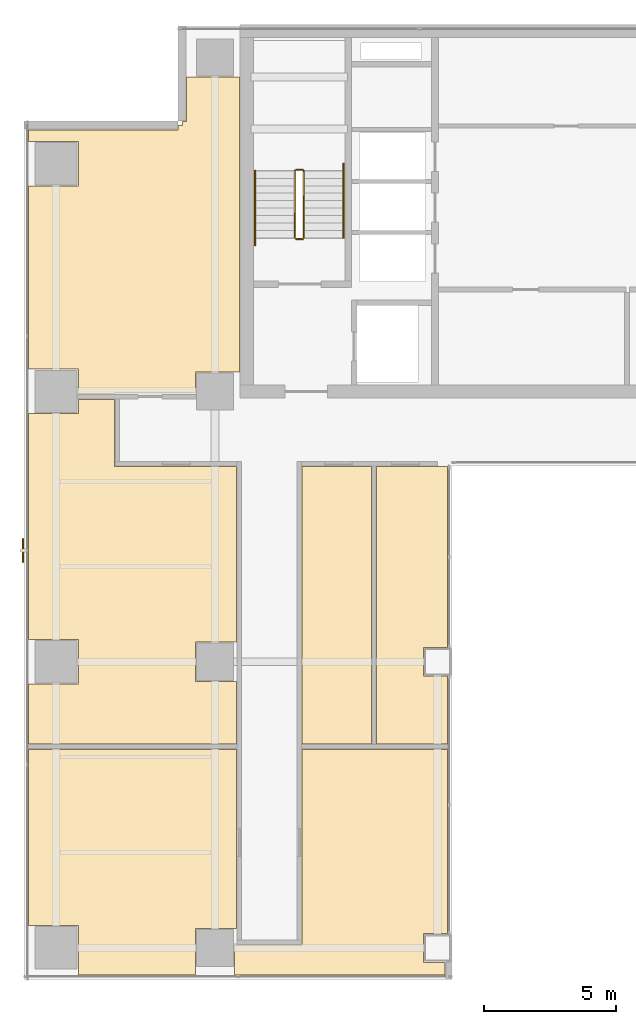
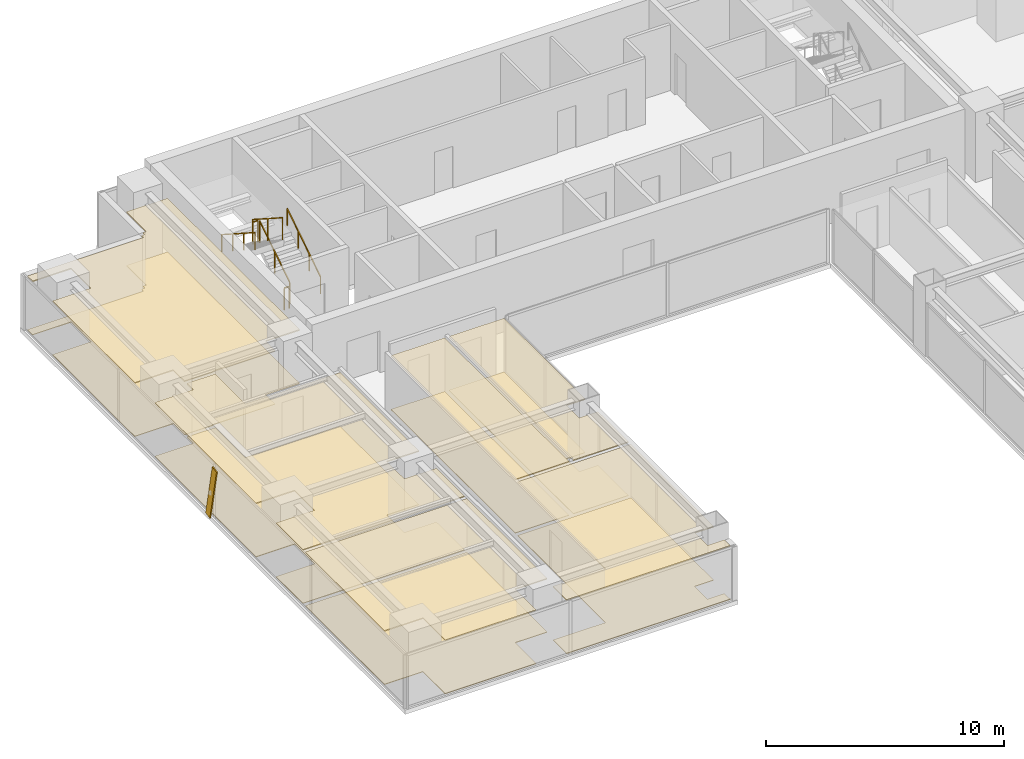
# One storey, part 27 of 29: 12 coverings, 6 railings, 1 shading device.
"""IFC4 building model written with IfcOpenShell, lengths in metres."""

from ifc_helpers import new_model, si_unit, direction, frame, origin, origin_2d, place, context, subcontext, project, spatial, polyline, rectangle, outline, extrude, source, transform, mapped, material, layer, layer_set, material_profile, profile_set, type_object, element, save


model = new_model("IFC4")

# Units and contexts
model_context = context("Model", 3, precision=1e-05, world=origin(), true_north=direction((0.0, 1.0)))
body_context = subcontext(model_context, "Body", "Model", "MODEL_VIEW")
ifc_project = project(units=[si_unit("LENGTHUNIT", "METRE"), si_unit("AREAUNIT", "SQUARE_METRE"), si_unit("VOLUMEUNIT", "CUBIC_METRE"), si_unit("PLANEANGLEUNIT", "RADIAN"), si_unit("MASSUNIT", "GRAM", prefix="KILO")], contexts=[model_context])

# Site, building, storey
site_placement = place(None, origin())
site = spatial("IfcSite", under=ifc_project, at=site_placement, CompositionType="ELEMENT")
building_placement = place(site_placement, origin())
building = spatial("IfcBuilding", under=site, at=building_placement, Name="Sumidabori Civic Tower", CompositionType="ELEMENT")
storey_placement = place(building_placement, frame((0.0, 0.0, 218.0)))
storey = spatial("IfcBuildingStorey", under=building, at=storey_placement, Name="L56", CompositionType="ELEMENT", Elevation=218.0)

# Coverings
ifc_material_1 = material(Name="Anodised Bronze Baffle Ceiling")
ifc_layer_1 = layer(ifc_material_1, 0.054931640625, Name="Anodised Bronze Baffle Ceiling")
ifc_layer_set_1 = layer_set([ifc_layer_1], Name="Anodised Bronze Baffle Ceiling")
covering_type_1 = type_object("IfcCoveringType", Name="CV-CEIL-AC3", PredefinedType="CEILING", material=ifc_layer_set_1)
covering_1_placement = place(storey_placement, frame((0.0, 0.0, 2.72998046875)))
element("IfcCovering", 1, at=covering_1_placement, inside=storey, type_object=covering_type_1, Name="Room Acoustic Ceiling L56-01", PredefinedType="CEILING", context=body_context, shape_type="SweptSolid", body=[
    extrude(outline(polyline([(-23.830078125, 17.9599609375), (-21.9599609375, 17.9599609375), (-21.9599609375, 19.639892578125), (-23.830078125, 19.639892578125), (-23.830078125, 20.072021484375), (-18.19189453125, 20.072021484375), (-18.19189453125, 20.22998046875), (-18.030029296875, 20.22998046875), (-18.030029296875, 20.39208984375), (-17.8720703125, 20.39208984375), (-17.8720703125, 22.06005859375), (-15.8779296875, 22.06005859375), (-15.8779296875, 10.93994140625), (-17.5400390625, 10.93994140625), (-17.5400390625, 10.135009765625), (-20.5849609375, 10.135009765625), (-20.5849609375, 10.1025390625), (-21.9599609375, 10.1025390625), (-21.9599609375, 11.0400390625), (-23.830078125, 11.0400390625), (-23.830078125, 17.9599609375)])), origin(), (0.0, 0.0, 1.0), 0.054931640625),
])
covering_2_placement = place(storey_placement, frame((0.0, 0.0, 2.72998046875)))
element("IfcCovering", 2, at=covering_2_placement, inside=storey, type_object=covering_type_1, Name="Room Acoustic Ceiling L56-03", PredefinedType="CEILING", context=body_context, shape_type="SweptSolid", body=[
    extrude(outline(polyline([(-20.5673828125, 7.364990234375), (-15.985107421875, 7.364990234375), (-15.985107421875, 0.739990234375), (-17.5400390625, 0.739990234375), (-17.5400390625, -0.739990234375), (-15.985107421875, -0.739990234375), (-15.985107421875, -3.097412109375), (-23.830078125, -3.097412109375), (-23.830078125, -0.840087890625), (-21.9599609375, -0.840087890625), (-21.9599609375, 0.840087890625), (-23.830078125, 0.840087890625), (-23.830078125, 9.360107421875), (-21.9599609375, 9.360107421875), (-21.9599609375, 9.8974609375), (-20.5849609375, 9.8974609375), (-20.5849609375, 7.369384765625), (-20.5673828125, 7.364990234375)])), origin(), (0.0, 0.0, 1.0), 0.054931640625),
])
covering_3_placement = place(storey_placement, frame((0.0, 0.0, 2.72998046875)))
element("IfcCovering", 3, at=covering_3_placement, inside=storey, type_object=covering_type_1, Name="Room Acoustic Ceiling L56-05", PredefinedType="CEILING", context=body_context, shape_type="SweptSolid", body=[
    extrude(outline(polyline([(-10.697509765625, 7.364990234375), (-8.02001953125, 7.364990234375), (-8.02001953125, 0.5400390625), (-8.93994140625, 0.5400390625), (-8.93994140625, -0.5400390625), (-8.02001953125, -0.5400390625), (-8.02001953125, -3.097412109375), (-10.697509765625, -3.097412109375), (-10.697509765625, 7.364990234375)])), origin(), (0.0, 0.0, 1.0), 0.054931640625),
])
covering_4_placement = place(storey_placement, frame((0.0, 0.0, 2.72998046875)))
element("IfcCovering", 4, at=covering_4_placement, inside=storey, type_object=covering_type_1, Name="Room Acoustic Ceiling L56-07", PredefinedType="CEILING", context=body_context, shape_type="SweptSolid", body=[
    extrude(outline(polyline([(-13.514892578125, 7.364990234375), (-10.902587890625, 7.364990234375), (-10.902587890625, -3.097412109375), (-13.514892578125, -3.097412109375), (-13.514892578125, 7.364990234375)])), origin(), (0.0, 0.0, 1.0), 0.054931640625),
])
covering_5_placement = place(storey_placement, frame((0.0, 0.0, 2.72998046875)))
element("IfcCovering", 5, at=covering_5_placement, inside=storey, type_object=covering_type_1, Name="Room Acoustic Ceiling L56-09", PredefinedType="CEILING", context=body_context, shape_type="SweptSolid", body=[
    extrude(outline(polyline([(-23.830078125, -3.302490234375), (-15.985107421875, -3.302490234375), (-15.985107421875, -10.06005859375), (-17.5400390625, -10.06005859375), (-17.5400390625, -11.830078125), (-21.9599609375, -11.830078125), (-21.9599609375, -9.9599609375), (-23.830078125, -9.9599609375), (-23.830078125, -3.302490234375)])), origin(), (0.0, 0.0, 1.0), 0.054931640625),
])
covering_6_placement = place(storey_placement, frame((0.0, 0.0, 2.72998046875)))
element("IfcCovering", 6, at=covering_6_placement, inside=storey, type_object=covering_type_1, Name="Room Acoustic Ceiling L56-11", PredefinedType="CEILING", context=body_context, shape_type="SweptSolid", body=[
    extrude(outline(polyline([(-16.06005859375, -10.68505859375), (-13.514892578125, -10.68505859375), (-13.514892578125, -3.302490234375), (-8.02001953125, -3.302490234375), (-8.02001953125, -10.260009765625), (-8.93994140625, -10.260009765625), (-8.93994140625, -11.340087890625), (-8.117919921875, -11.341796875), (-8.117919921875, -11.830078125), (-16.06005859375, -11.830078125), (-16.06005859375, -10.68505859375)])), origin(), (0.0, 0.0, 1.0), 0.054931640625),
])
ifc_material_2 = material(Name="Honed Terrazzo Tile Flooring")
ifc_layer_2 = layer(ifc_material_2, 0.030029296875, Name="Honed Terrazzo Tile Flooring")
ifc_layer_set_2 = layer_set([ifc_layer_2], Name="Honed Terrazzo Tile Flooring")
covering_type_2 = type_object("IfcCoveringType", Name="CV-FLR-TER", PredefinedType="FLOORING", material=ifc_layer_set_2)
covering_7_placement = place(storey_placement, origin())
element("IfcCovering", 7, at=covering_7_placement, inside=storey, type_object=covering_type_2, Name="Room Terrazzo Floor L56-01", PredefinedType="FLOORING", context=body_context, shape_type="SweptSolid", body=[
    extrude(outline(polyline([(-23.830078125, 17.9599609375), (-21.9599609375, 17.9599609375), (-21.9599609375, 19.639892578125), (-23.830078125, 19.639892578125), (-23.830078125, 20.072021484375), (-18.19189453125, 20.072021484375), (-18.19189453125, 20.22998046875), (-18.030029296875, 20.22998046875), (-18.030029296875, 20.39208984375), (-17.8720703125, 20.39208984375), (-17.8720703125, 22.06005859375), (-15.8779296875, 22.06005859375), (-15.8779296875, 10.93994140625), (-17.5400390625, 10.93994140625), (-17.5400390625, 10.135009765625), (-20.5849609375, 10.135009765625), (-20.5849609375, 10.1025390625), (-21.9599609375, 10.1025390625), (-21.9599609375, 11.0400390625), (-23.830078125, 11.0400390625), (-23.830078125, 17.9599609375)])), origin(), (0.0, 0.0, 1.0), 0.030029296875),
])
covering_8_placement = place(storey_placement, origin())
element("IfcCovering", 8, at=covering_8_placement, inside=storey, type_object=covering_type_2, Name="Room Terrazzo Floor L56-03", PredefinedType="FLOORING", context=body_context, shape_type="SweptSolid", body=[
    extrude(outline(polyline([(-20.5673828125, 7.364990234375), (-15.985107421875, 7.364990234375), (-15.985107421875, 0.739990234375), (-17.5400390625, 0.739990234375), (-17.5400390625, -0.739990234375), (-15.985107421875, -0.739990234375), (-15.985107421875, -3.097412109375), (-23.830078125, -3.097412109375), (-23.830078125, -0.840087890625), (-21.9599609375, -0.840087890625), (-21.9599609375, 0.840087890625), (-23.830078125, 0.840087890625), (-23.830078125, 9.360107421875), (-21.9599609375, 9.360107421875), (-21.9599609375, 9.8974609375), (-20.5849609375, 9.8974609375), (-20.5849609375, 7.369384765625), (-20.5673828125, 7.364990234375)])), origin(), (0.0, 0.0, 1.0), 0.030029296875),
])
covering_9_placement = place(storey_placement, origin())
element("IfcCovering", 9, at=covering_9_placement, inside=storey, type_object=covering_type_2, Name="Room Terrazzo Floor L56-05", PredefinedType="FLOORING", context=body_context, shape_type="SweptSolid", body=[
    extrude(outline(polyline([(-10.697509765625, 7.364990234375), (-8.02001953125, 7.364990234375), (-8.02001953125, 0.5400390625), (-8.93994140625, 0.5400390625), (-8.93994140625, -0.5400390625), (-8.02001953125, -0.5400390625), (-8.02001953125, -3.097412109375), (-10.697509765625, -3.097412109375), (-10.697509765625, 7.364990234375)])), origin(), (0.0, 0.0, 1.0), 0.030029296875),
])
covering_10_placement = place(storey_placement, origin())
element("IfcCovering", 10, at=covering_10_placement, inside=storey, type_object=covering_type_2, Name="Room Terrazzo Floor L56-07", PredefinedType="FLOORING", context=body_context, shape_type="SweptSolid", body=[
    extrude(outline(polyline([(-13.514892578125, 7.364990234375), (-10.902587890625, 7.364990234375), (-10.902587890625, -3.097412109375), (-13.514892578125, -3.097412109375), (-13.514892578125, 7.364990234375)])), origin(), (0.0, 0.0, 1.0), 0.030029296875),
])
covering_11_placement = place(storey_placement, origin())
element("IfcCovering", 11, at=covering_11_placement, inside=storey, type_object=covering_type_2, Name="Room Terrazzo Floor L56-09", PredefinedType="FLOORING", context=body_context, shape_type="SweptSolid", body=[
    extrude(outline(polyline([(-23.830078125, -3.302490234375), (-15.985107421875, -3.302490234375), (-15.985107421875, -10.06005859375), (-17.5400390625, -10.06005859375), (-17.5400390625, -11.830078125), (-21.9599609375, -11.830078125), (-21.9599609375, -9.9599609375), (-23.830078125, -9.9599609375), (-23.830078125, -3.302490234375)])), origin(), (0.0, 0.0, 1.0), 0.030029296875),
])
covering_12_placement = place(storey_placement, origin())
element("IfcCovering", 12, at=covering_12_placement, inside=storey, type_object=covering_type_2, Name="Room Terrazzo Floor L56-11", PredefinedType="FLOORING", context=body_context, shape_type="SweptSolid", body=[
    extrude(outline(polyline([(-16.06005859375, -10.68505859375), (-13.514892578125, -10.68505859375), (-13.514892578125, -3.302490234375), (-8.02001953125, -3.302490234375), (-8.02001953125, -10.260009765625), (-8.93994140625, -10.260009765625), (-8.93994140625, -11.340087890625), (-8.117919921875, -11.341796875), (-8.117919921875, -11.830078125), (-16.06005859375, -11.830078125), (-16.06005859375, -10.68505859375)])), origin(), (0.0, 0.0, 1.0), 0.030029296875),
])

# Railings
ifc_material_3 = material(Name="Stainless Steel Hairline Finish", Category="steel")
railing_type_1 = type_object("IfcRailingType", Name="RL-HANDRAIL", PredefinedType="HANDRAIL", material=ifc_material_3)
railing_1_placement = place(storey_placement, frame((-11.949951171875, 16.0, 0.179931640625)))
element("IfcRailing", 13, at=railing_1_placement, inside=storey, type_object=railing_type_1, Name="L56 ST-1 stair handrail 1", PredefinedType="HANDRAIL", context=body_context, shape_type="SweptSolid", body=[
    extrude(rectangle(XDim=0.048095703125, YDim=0.048095703125, at=origin_2d()), frame((0.0, 0.0, 0.8759765625), z_axis=(0.0, 0.84064222762, 0.54159084662), x_axis=(-1.0, 0.0, 0.0)), (0.0, 0.0, 1.0), 3.330810546875),
    extrude(rectangle(XDim=0.0419921875, YDim=0.0419921875, at=origin_2d()), origin(), (0.0, 0.0, 1.0), 0.851806640625),
    extrude(rectangle(XDim=0.0419921875, YDim=0.0419921875, at=origin_2d()), frame((0.0, 0.933349609375, 0.601318359375)), (0.0, 0.0, 1.0), 0.851806640625),
    extrude(rectangle(XDim=0.0419921875, YDim=0.0419921875, at=origin_2d()), frame((0.0, 1.86669921875, 1.20263671875)), (0.0, 0.0, 1.0), 0.851806640625),
    extrude(rectangle(XDim=0.0419921875, YDim=0.0419921875, at=origin_2d()), frame((0.0, 2.800048828125, 1.803955078125)), (0.0, 0.0, 1.0), 0.851806640625),
])
railing_2_placement = place(storey_placement, frame((-15.2900390625, 18.52001953125, 1.97998046875)))
element("IfcRailing", 14, at=railing_2_placement, inside=storey, type_object=railing_type_1, Name="L56 ST-1 stair handrail 2", PredefinedType="HANDRAIL", context=body_context, shape_type="SweptSolid", body=[
    extrude(rectangle(XDim=0.048095703125, YDim=0.048095703125, at=origin_2d()), frame((0.0, 0.0, 0.8759765625), z_axis=(0.0, -0.840675598268, 0.541539046124), x_axis=(1.0, 0.0, 0.0)), (0.0, 0.0, 1.0), 3.330810546875),
    extrude(rectangle(XDim=0.0419921875, YDim=0.0419921875, at=origin_2d()), origin(), (0.0, 0.0, 1.0), 0.851806640625),
    extrude(rectangle(XDim=0.0419921875, YDim=0.0419921875, at=origin_2d()), frame((0.0, -0.933349609375, 0.601318359375)), (0.0, 0.0, 1.0), 0.851806640625),
    extrude(rectangle(XDim=0.0419921875, YDim=0.0419921875, at=origin_2d()), frame((0.0, -1.86669921875, 1.202392578125)), (0.0, 0.0, 1.0), 0.851806640625),
    extrude(rectangle(XDim=0.0419921875, YDim=0.0419921875, at=origin_2d()), frame((0.0, -2.800048828125, 1.8037109375)), (0.0, 0.0, 1.0), 0.851806640625),
])
ifc_material_4 = material(Name="Steel SN490", Category="steel")
railing_type_2 = type_object("IfcRailingType", Name="RL-STAIR-GUARD", PredefinedType="GUARDRAIL", material=ifc_material_4)
railing_3_placement = place(storey_placement, frame((-13.449951171875, 16.0, 0.179931640625)))
element("IfcRailing", 15, at=railing_3_placement, inside=storey, type_object=railing_type_2, Name="L56 ST-1 stair guard 1", PredefinedType="GUARDRAIL", context=body_context, shape_type="SweptSolid", body=[
    extrude(rectangle(XDim=0.048095703125, YDim=0.048095703125, at=origin_2d()), frame((0.0, 0.0, 1.1259765625), z_axis=(0.0, 0.841162588446, 0.540782303519), x_axis=(-1.0, 0.0, 0.0)), (0.0, 0.0, 1.0), 2.995849609375),
    extrude(rectangle(XDim=0.0419921875, YDim=0.0419921875, at=origin_2d()), origin(), (0.0, 0.0, 1.0), 1.101806640625),
    extrude(rectangle(XDim=0.0419921875, YDim=0.0419921875, at=origin_2d()), frame((0.0, 1.260009765625, 0.81005859375)), (0.0, 0.0, 1.0), 1.101806640625),
    extrude(rectangle(XDim=0.0419921875, YDim=0.0419921875, at=origin_2d()), frame((0.0, 2.52001953125, 1.6201171875)), (0.0, 0.0, 1.0), 1.101806640625),
])
railing_4_placement = place(storey_placement, frame((-13.5, 18.570068359375, 1.800048828125)))
element("IfcRailing", 16, at=railing_4_placement, inside=storey, type_object=railing_type_2, Name="L56 ST-1 stair guard 2", PredefinedType="GUARDRAIL", context=body_context, shape_type="SweptSolid", body=[
    extrude(rectangle(XDim=0.048095703125, YDim=0.048095703125, at=origin_2d()), frame((0.0, 0.0, 1.1259765625), z_axis=(-1.0, 0.0, 0.0), x_axis=(0.0, -1.0, 0.0)), (0.0, 0.0, 1.0), 0.239990234375),
    extrude(rectangle(XDim=0.0419921875, YDim=0.0419921875, at=origin_2d()), origin(), (0.0, 0.0, 1.0), 1.101806640625),
    extrude(rectangle(XDim=0.0419921875, YDim=0.0419921875, at=origin_2d()), frame((-0.239990234375, 0.0, 0.0)), (0.0, 0.0, 1.0), 1.101806640625),
])
railing_5_placement = place(storey_placement, frame((-13.7900390625, 18.52001953125, 1.97998046875)))
element("IfcRailing", 17, at=railing_5_placement, inside=storey, type_object=railing_type_2, Name="L56 ST-1 stair guard 3", PredefinedType="GUARDRAIL", context=body_context, shape_type="SweptSolid", body=[
    extrude(rectangle(XDim=0.048095703125, YDim=0.048095703125, at=origin_2d()), frame((0.0, 0.0, 1.1259765625), z_axis=(0.0, -0.841162588446, 0.540782303519), x_axis=(1.0, 0.0, 0.0)), (0.0, 0.0, 1.0), 2.995849609375),
    extrude(rectangle(XDim=0.0419921875, YDim=0.0419921875, at=origin_2d()), origin(), (0.0, 0.0, 1.0), 1.101806640625),
    extrude(rectangle(XDim=0.0419921875, YDim=0.0419921875, at=origin_2d()), frame((0.0, -1.260009765625, 0.81005859375)), (0.0, 0.0, 1.0), 1.101806640625),
    extrude(rectangle(XDim=0.0419921875, YDim=0.0419921875, at=origin_2d()), frame((0.0, -2.52001953125, 1.6201171875)), (0.0, 0.0, 1.0), 1.101806640625),
])
railing_6_placement = place(storey_placement, frame((-13.5, 15.949951171875, 0.0)))
element("IfcRailing", 18, at=railing_6_placement, inside=storey, type_object=railing_type_2, Name="L56 ST-1 stair guard 4", PredefinedType="GUARDRAIL", context=body_context, shape_type="SweptSolid", body=[
    extrude(rectangle(XDim=0.048095703125, YDim=0.048095703125, at=origin_2d()), frame((0.0, 0.0, 1.1259765625), z_axis=(-1.0, 0.0, 0.0), x_axis=(0.0, -1.0, 0.0)), (0.0, 0.0, 1.0), 0.239990234375),
    extrude(rectangle(XDim=0.0419921875, YDim=0.0419921875, at=origin_2d()), origin(), (0.0, 0.0, 1.0), 1.101806640625),
    extrude(rectangle(XDim=0.0419921875, YDim=0.0419921875, at=origin_2d()), frame((-0.239990234375, 0.0, 0.0)), (0.0, 0.0, 1.0), 1.101806640625),
])

# Shading device
ifc_material_5 = material(Name="Anodised Bronze Aluminium AW-6063-T6", Category="aluminium")
ifc_material_profile = material_profile(ifc_material_5, rectangle(XDim=0.054931640625, YDim=0.360107421875, at=origin_2d()), Name="BRONZE FIN 360x55")
ifc_profile_set = profile_set([ifc_material_profile], Name="Anodised Bronze Aluminium AW-6063-T6")
shading_device_type = type_object("IfcShadingDeviceType", Name="SH-FIN-360", PredefinedType="USERDEFINED", material=ifc_profile_set)
shared_shape = source(origin(), body_context, "Body", "SweptSolid", [
    extrude(rectangle(XDim=0.054931640625, YDim=0.360107421875, at=origin_2d()), origin(), (0.0, 0.0, 1.0), 2.75732421875),
])
shading_device_placement = place(storey_placement, frame((-24.050048828125, 4.47998046875, 0.02001953125), z_axis=(0.0, -0.203109150817, 0.979156102393), x_axis=(-1.0, 0.0, 0.0)))
element("IfcShadingDevice", 19, at=shading_device_placement, inside=storey, type_object=shading_device_type, Name="Bronze Anodised Diagonal Fin L56-02", ObjectType="FIN", PredefinedType="USERDEFINED", context=body_context, shape_type="MappedRepresentation", body=[
    mapped(shared_shape, transform((0.0, 0.0, 0.0), x_axis=(1.0, 0.0, 0.0), y_axis=(0.0, 1.0, 0.0), z_axis=(0.0, 0.0, 1.0), scale=1.0)),
])

save(model, "model.ifc")
